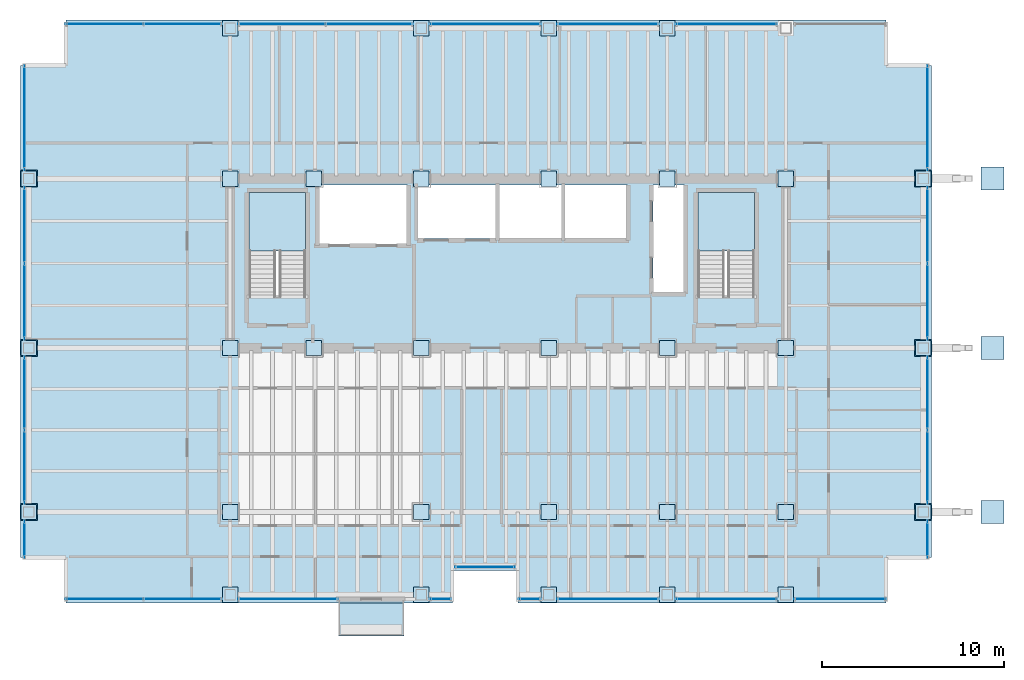
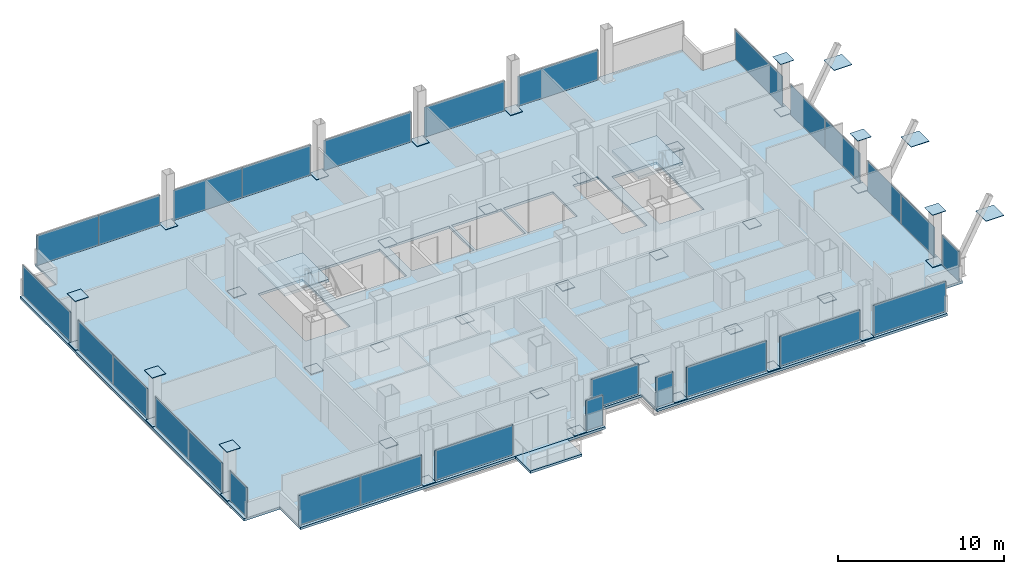
# One storey, part 17 of 21: 69 plates, 4 slabs, 7 openings, 23 elements without a shape of their own.
"""IFC4 building model written with IfcOpenShell, lengths in metres."""

import ifcopenshell
import ifcopenshell.guid

model = None  # the IFC model being written
_history = None  # IfcOwnerHistory: only IFC2X3 demands one
_inside = {}  # id of a spatial element -> (the spatial element, [elements in it])
_under = {}  # id of a project, library or spatial element -> (it, [spatial elements below it])
_declared = {}  # id of a project -> (the project, [libraries it declares])
_typed = {}  # id of a type object -> (the type object, [elements of that type])
_made_of = {}  # id of a material, layer set ... -> (it, [elements and type objects made of it])


def new_model(schema):
    """Start an empty IFC model of exactly this schema.

    Asked for "IFC4X3", IfcOpenShell would pick the latest addendum, in which some entities
    have other attributes; the version numbers below select the first issue.
    IFC2X3 requires an IfcOwnerHistory on every rooted entity: one is made here for all.
    """
    global model, _history
    if schema == "IFC4X3":
        model = ifcopenshell.file(schema_version=(4, 3, 0, 0))
    else:
        model = ifcopenshell.file(schema=schema)
    _inside.clear()
    _under.clear()
    _declared.clear()
    _typed.clear()
    _made_of.clear()
    _history = None
    if model.schema == "IFC2X3":
        org = make("IfcOrganization", Name="unknown")
        user = make(
            "IfcPersonAndOrganization",
            ThePerson=make("IfcPerson", FamilyName="unknown"),
            TheOrganization=org,
        )
        app = make(
            "IfcApplication",
            ApplicationDeveloper=org,
            Version="unknown",
            ApplicationFullName="unknown",
            ApplicationIdentifier="unknown",
        )
        _history = make(
            "IfcOwnerHistory",
            OwningUser=user,
            OwningApplication=app,
            ChangeAction="ADDED",
            CreationDate=0,
        )
    return model


def make(cls, **values):
    """One entity of the class cls with the attributes given. An attribute that is None is left unset."""
    return model.create_entity(
        cls, **{name: value for name, value in values.items() if value is not None}
    )


def rooted(cls, **values):
    """An entity with a GlobalId (a new one), such as an element, a storey or a relation."""
    return make(cls, GlobalId=ifcopenshell.guid.new(), OwnerHistory=_history, **values)


def si_unit(unit_type, name, prefix=None):
    """IfcSIUnit, for example si_unit("LENGTHUNIT", "METRE", prefix="MILLI")."""
    return make("IfcSIUnit", UnitType=unit_type, Prefix=prefix, Name=name)


def assignment(units):
    """IfcUnitAssignment: the units of a project."""
    return None if units is None else make("IfcUnitAssignment", Units=units)


def point(xyz):
    """IfcCartesianPoint."""
    return None if xyz is None else make("IfcCartesianPoint", Coordinates=xyz)


def direction(xyz):
    """IfcDirection."""
    return None if xyz is None else make("IfcDirection", DirectionRatios=xyz)


def frame(location, z_axis=None, x_axis=None):
    """IfcAxis2Placement3D, a coordinate frame: its origin and axes. An axis left out is left unset."""
    return make(
        "IfcAxis2Placement3D",
        Location=point(location),
        Axis=direction(z_axis),
        RefDirection=direction(x_axis),
    )


def frame_2d(location, x_axis=None):
    """IfcAxis2Placement2D, a coordinate frame in the plane: its origin and x axis."""
    return make(
        "IfcAxis2Placement2D", Location=point(location), RefDirection=direction(x_axis)
    )


def origin():
    """The frame at (0, 0, 0) with its axes left unset."""
    return frame((0.0, 0.0, 0.0))


def origin_2d():
    """The frame at (0, 0) in the plane with its x axis left unset."""
    return frame_2d((0.0, 0.0))


def place(relative_to, where):
    """IfcLocalPlacement: puts the frame where relative to a parent placement (None: the world)."""
    return make(
        "IfcLocalPlacement", PlacementRelTo=relative_to, RelativePlacement=where
    )


def context(
    kind, dimensions, precision=None, world=None, true_north=None, identifier=None
):
    """IfcGeometricRepresentationContext, for example the 3D "Model" context."""
    return make(
        "IfcGeometricRepresentationContext",
        ContextIdentifier=identifier,
        ContextType=kind,
        CoordinateSpaceDimension=dimensions,
        Precision=precision,
        WorldCoordinateSystem=world,
        TrueNorth=true_north,
    )


def subcontext(parent, identifier, kind, view, scale=None):
    """IfcGeometricRepresentationSubContext, for example "Body" below "Model"."""
    return make(
        "IfcGeometricRepresentationSubContext",
        ContextIdentifier=identifier,
        ContextType=kind,
        ParentContext=parent,
        TargetScale=scale,
        TargetView=view,
    )


def project(units=None, contexts=None):
    """IfcProject with its units and contexts."""
    return rooted(
        "IfcProject",
        Name="project",
        RepresentationContexts=contexts,
        UnitsInContext=assignment(units),
    )


def spatial(cls, under=None, at=None, **own):
    """A site, building, storey or space (cls), placed at a placement, below another one or the project."""
    s = rooted(cls, ObjectPlacement=at, **own)
    if under is not None:
        _under.setdefault(under.id(), (under, []))[1].append(s)
    return s


def polyline(points):
    """IfcPolyline through the points."""
    return make("IfcPolyline", Points=[point(p) for p in points])


def profile(cls, at=None, kind="AREA", **sizes):
    """A parametric profile (cls). Its sizes go by their IFC names, for example OverallWidth=200.0."""
    return make(cls, ProfileType=kind, Position=at, **sizes)


def rectangle(**sizes):
    """IfcRectangleProfileDef."""
    return profile("IfcRectangleProfileDef", **sizes)


def outline(outer, holes=None, kind="AREA"):
    """IfcArbitraryClosedProfileDef: a profile drawn as a closed curve; with holes, ...WithVoids."""
    if holes is None:
        return make("IfcArbitraryClosedProfileDef", ProfileType=kind, OuterCurve=outer)
    return make(
        "IfcArbitraryProfileDefWithVoids",
        ProfileType=kind,
        OuterCurve=outer,
        InnerCurves=holes,
    )


def extrude(swept, where, along, depth):
    """IfcExtrudedAreaSolid: the profile swept, set in the frame where, extruded along a direction by depth."""
    return make(
        "IfcExtrudedAreaSolid",
        SweptArea=swept,
        Position=where,
        ExtrudedDirection=direction(along),
        Depth=depth,
    )


def shape(context_of_items, identifier, shape_type, items):
    """IfcShapeRepresentation: the items that make up one representation, for example the "Body"."""
    return make(
        "IfcShapeRepresentation",
        ContextOfItems=context_of_items,
        RepresentationIdentifier=identifier,
        RepresentationType=shape_type,
        Items=items,
    )


def material(Name=None, Category=None):
    """IfcMaterial."""
    return make("IfcMaterial", Name=Name, Category=Category)


def layer(
    of_material, thickness, ventilated=None, Name=None, Category=None, Priority=None
):
    """IfcMaterialLayer: one layer of a wall or slab, of a material (None: an air gap)."""
    return make(
        "IfcMaterialLayer",
        Material=of_material,
        LayerThickness=thickness,
        IsVentilated=ventilated,
        Name=Name,
        Category=Category,
        Priority=Priority,
    )


def layer_set(layers, Name=None):
    """IfcMaterialLayerSet."""
    return make("IfcMaterialLayerSet", MaterialLayers=layers, LayerSetName=Name)


def made_of(thing, what):
    """Note that an element or type object is made of a material, layer set ...; save() writes the relation."""
    if what is not None:
        _made_of.setdefault(what.id(), (what, []))[1].append(thing)
    return thing


def type_object(cls, material=None, **own):
    """A type object (cls), such as IfcWallType, which elements share."""
    return made_of(rooted(cls, **own), material)


def element(
    cls,
    number,
    at=None,
    inside=None,
    cuts=None,
    type_object=None,
    material=None,
    context=None,
    identifier="Body",
    shape_type=None,
    held_by="IfcProductDefinitionShape",
    body=None,
    shapes=None,
    **own,
):
    """One element of the class cls, such as IfcWall. Its Tag is "e" and its number.

    at: its placement. inside: the storey or other place that contains it. cuts: it is an
    opening in that element (IfcRelVoidsElement). A single representation is given by context,
    identifier, shape_type and body (its items); several are given by shapes. held_by: the class
    of the entity that holds the representations. save() writes the other relations.
    """
    e = rooted(cls, Tag="e%d" % number, ObjectPlacement=at, **own)
    if body is not None:
        shapes = [shape(context, identifier, shape_type, body)]
    if shapes is not None:
        e.Representation = make(held_by, Representations=shapes)
    if inside is not None:
        _inside.setdefault(inside.id(), (inside, []))[1].append(e)
    if cuts is not None:
        rooted(
            "IfcRelVoidsElement", RelatingBuildingElement=cuts, RelatedOpeningElement=e
        )
    if type_object is not None:
        _typed.setdefault(type_object.id(), (type_object, []))[1].append(e)
    return made_of(e, material)


def aggregate(whole, parts):
    """IfcRelAggregates: a whole, such as a stair, and the parts it consists of."""
    return rooted("IfcRelAggregates", RelatingObject=whole, RelatedObjects=parts)


def save(model, path):
    """Write the relations noted so far, then the file.

    IfcRelAggregates (storeys below a building ...), IfcRelContainedInSpatialStructure (elements
    in a storey), IfcRelDefinesByType, IfcRelAssociatesMaterial and IfcRelDeclares: one each for
    every whole, place, type object, material and project.
    """
    for whole, parts in _under.values():
        aggregate(whole, parts)
    for where, things in _inside.values():
        rooted(
            "IfcRelContainedInSpatialStructure",
            RelatedElements=things,
            RelatingStructure=where,
        )
    for kind, things in _typed.values():
        rooted("IfcRelDefinesByType", RelatedObjects=things, RelatingType=kind)
    for what, things in _made_of.values():
        rooted("IfcRelAssociatesMaterial", RelatedObjects=things, RelatingMaterial=what)
    for by, libraries in _declared.values():
        rooted("IfcRelDeclares", RelatingContext=by, RelatedDefinitions=libraries)
    model.write(path)


model = new_model("IFC4")

# Units and contexts
model_context = context("Model", 3, precision=1e-05, world=origin(), true_north=direction((0.0, 1.0)))
body_context = subcontext(model_context, "Body", "Model", "MODEL_VIEW")
ifc_project = project(units=[si_unit("LENGTHUNIT", "METRE"), si_unit("AREAUNIT", "SQUARE_METRE"), si_unit("VOLUMEUNIT", "CUBIC_METRE"), si_unit("PLANEANGLEUNIT", "RADIAN"), si_unit("MASSUNIT", "GRAM", prefix="KILO")], contexts=[model_context])

# Site, building, storey
site_placement = place(None, origin())
site = spatial("IfcSite", under=ifc_project, at=site_placement, CompositionType="ELEMENT")
building_placement = place(site_placement, origin())
building = spatial("IfcBuilding", under=site, at=building_placement, Name="Noeulbin Bourse Tower", CompositionType="ELEMENT")
storey_placement = place(building_placement, frame((0.0, 0.0, 49.89990234375)))
storey = spatial("IfcBuildingStorey", under=building, at=storey_placement, Name="L12", CompositionType="ELEMENT", Elevation=49.89990234375)

# Curtain wall, plate
ifc_material_1 = material(Name="Dark Solar-Control Double Glazing", Category="glass")
curtain_wall_type = type_object("IfcCurtainWallType", Name="CW-SYS-2", PredefinedType="NOTDEFINED", material=ifc_material_1)
curtain_wall_1_placement = place(storey_placement, origin())
curtain_wall_1 = element("IfcCurtainWall", 1, at=curtain_wall_1_placement, inside=storey, type_object=curtain_wall_type, Name="Unitised Curtain Wall CW-L12-SREC", PredefinedType="NOTDEFINED")
ifc_layer_1 = layer(ifc_material_1, 0.035888671875)
ifc_layer_set_1 = layer_set([ifc_layer_1], Name="Dark Solar-Control Double Glazing")
plate_type_1 = type_object("IfcPlateType", Name="CW-SYS-2-PNL", PredefinedType="CURTAIN_PANEL", material=ifc_layer_set_1)
plate_1_placement = place(storey_placement, frame((27.5, 16.97998046875, 0.0), z_axis=(0.0, 0.0, 1.0), x_axis=(1.0, 0.0, 0.0)))
plate_1 = element("IfcPlate", 2, at=plate_1_placement, type_object=plate_type_1, Name="Glazed Curtain Panel CW-L12-SREC-P00", PredefinedType="CURTAIN_PANEL", context=body_context, shape_type="SweptSolid", body=[
    extrude(rectangle(XDim=3.300048828125, YDim=0.035888671875, at=origin_2d()), origin(), (0.0, 0.0, 1.0), 2.219970703125),
])
aggregate(curtain_wall_1, [plate_1])

# Curtain wall, plates
curtain_wall_2_placement = place(storey_placement, origin())
curtain_wall_2 = element("IfcCurtainWall", 3, at=curtain_wall_2_placement, inside=storey, type_object=curtain_wall_type, Name="Unitised Curtain Wall CW-L12-S1-S1", PredefinedType="NOTDEFINED")
plate_2_placement = place(storey_placement, frame((6.6201171875, 15.219970703125, 0.0), z_axis=(0.0, 0.0, 1.0), x_axis=(1.0, 0.0, 0.0)))
plate_2 = element("IfcPlate", 4, at=plate_2_placement, type_object=plate_type_1, Name="Glazed Curtain Panel CW-L12-S1-S1-P00", PredefinedType="CURTAIN_PANEL", context=body_context, shape_type="SweptSolid", body=[
    extrude(rectangle(XDim=4.280029296875, YDim=0.035888671875, at=origin_2d()), origin(), (0.0, 0.0, 1.0), 2.219970703125),
])
plate_3_placement = place(storey_placement, frame((10.89990234375, 15.219970703125, 0.0), z_axis=(0.0, 0.0, 1.0), x_axis=(1.0, 0.0, 0.0)))
plate_3 = element("IfcPlate", 5, at=plate_3_placement, type_object=plate_type_1, Name="Glazed Curtain Panel CW-L12-S1-S1-P01", PredefinedType="CURTAIN_PANEL", context=body_context, shape_type="SweptSolid", body=[
    extrude(rectangle(XDim=4.280029296875, YDim=0.035888671875, at=origin_2d()), origin(), (0.0, 0.0, 1.0), 2.219970703125),
])
aggregate(curtain_wall_2, [plate_2, plate_3])

# Curtain wall, plate
curtain_wall_3_placement = place(storey_placement, origin())
curtain_wall_3 = element("IfcCurtainWall", 6, at=curtain_wall_3_placement, inside=storey, type_object=curtain_wall_type, Name="Unitised Curtain Wall CW-L12-S1-S2", PredefinedType="NOTDEFINED")
plate_4_placement = place(storey_placement, frame((16.679931640625, 15.219970703125, 0.0), z_axis=(0.0, 0.0, 1.0), x_axis=(1.0, 0.0, 0.0)))
plate_4 = element("IfcPlate", 7, at=plate_4_placement, type_object=plate_type_1, Name="Glazed Curtain Panel CW-L12-S1-S2-P00", PredefinedType="CURTAIN_PANEL", context=body_context, shape_type="SweptSolid", body=[
    extrude(rectangle(XDim=5.43994140625, YDim=0.035888671875, at=origin_2d()), origin(), (0.0, 0.0, 1.0), 2.219970703125),
])
aggregate(curtain_wall_3, [plate_4])

curtain_wall_4_placement = place(storey_placement, origin())
curtain_wall_4 = element("IfcCurtainWall", 8, at=curtain_wall_4_placement, inside=storey, type_object=curtain_wall_type, Name="Unitised Curtain Wall CW-L12-S2", PredefinedType="NOTDEFINED")
plate_5_placement = place(storey_placement, frame((25.054931640625, 15.219970703125, 0.0), z_axis=(0.0, 0.0, 1.0), x_axis=(1.0, 0.0, 0.0)))
plate_5 = element("IfcPlate", 9, at=plate_5_placement, type_object=plate_type_1, Name="Glazed Curtain Panel CW-L12-S2-P00", PredefinedType="CURTAIN_PANEL", context=body_context, shape_type="SweptSolid", body=[
    extrude(rectangle(XDim=1.18994140625, YDim=0.035888671875, at=origin_2d()), origin(), (0.0, 0.0, 1.0), 2.219970703125),
])
aggregate(curtain_wall_4, [plate_5])

curtain_wall_5_placement = place(storey_placement, origin())
curtain_wall_5 = element("IfcCurtainWall", 10, at=curtain_wall_5_placement, inside=storey, type_object=curtain_wall_type, Name="Unitised Curtain Wall CW-L12-S3-S1", PredefinedType="NOTDEFINED")
plate_6_placement = place(storey_placement, frame((29.945068359375, 15.219970703125, 0.0), z_axis=(0.0, 0.0, 1.0), x_axis=(1.0, 0.0, 0.0)))
plate_6 = element("IfcPlate", 11, at=plate_6_placement, type_object=plate_type_1, Name="Glazed Curtain Panel CW-L12-S3-S1-P00", PredefinedType="CURTAIN_PANEL", context=body_context, shape_type="SweptSolid", body=[
    extrude(rectangle(XDim=1.18994140625, YDim=0.035888671875, at=origin_2d()), origin(), (0.0, 0.0, 1.0), 2.219970703125),
])
aggregate(curtain_wall_5, [plate_6])

curtain_wall_6_placement = place(storey_placement, origin())
curtain_wall_6 = element("IfcCurtainWall", 12, at=curtain_wall_6_placement, inside=storey, type_object=curtain_wall_type, Name="Unitised Curtain Wall CW-L12-S3-S2", PredefinedType="NOTDEFINED")
plate_7_placement = place(storey_placement, frame((34.25, 15.219970703125, 0.0), z_axis=(0.0, 0.0, 1.0), x_axis=(1.0, 0.0, 0.0)))
plate_7 = element("IfcPlate", 13, at=plate_7_placement, type_object=plate_type_1, Name="Glazed Curtain Panel CW-L12-S3-S2-P00", PredefinedType="CURTAIN_PANEL", context=body_context, shape_type="SweptSolid", body=[
    extrude(rectangle(XDim=5.580078125, YDim=0.035888671875, at=origin_2d()), origin(), (0.0, 0.0, 1.0), 2.219970703125),
])
aggregate(curtain_wall_6, [plate_7])

curtain_wall_7_placement = place(storey_placement, origin())
curtain_wall_7 = element("IfcCurtainWall", 14, at=curtain_wall_7_placement, inside=storey, type_object=curtain_wall_type, Name="Unitised Curtain Wall CW-L12-S3-S3", PredefinedType="NOTDEFINED")
plate_8_placement = place(storey_placement, frame((40.75, 15.219970703125, 0.0), z_axis=(0.0, 0.0, 1.0), x_axis=(1.0, 0.0, 0.0)))
plate_8 = element("IfcPlate", 15, at=plate_8_placement, type_object=plate_type_1, Name="Glazed Curtain Panel CW-L12-S3-S3-P00", PredefinedType="CURTAIN_PANEL", context=body_context, shape_type="SweptSolid", body=[
    extrude(rectangle(XDim=5.580078125, YDim=0.035888671875, at=origin_2d()), origin(), (0.0, 0.0, 1.0), 2.219970703125),
])
aggregate(curtain_wall_7, [plate_8])

curtain_wall_8_placement = place(storey_placement, origin())
curtain_wall_8 = element("IfcCurtainWall", 16, at=curtain_wall_8_placement, inside=storey, type_object=curtain_wall_type, Name="Unitised Curtain Wall CW-L12-S3-S4", PredefinedType="NOTDEFINED")
plate_9_placement = place(storey_placement, frame((46.989990234375, 15.219970703125, 0.0), z_axis=(0.0, 0.0, 1.0), x_axis=(1.0, 0.0, 0.0)))
plate_9 = element("IfcPlate", 17, at=plate_9_placement, type_object=plate_type_1, Name="Glazed Curtain Panel CW-L12-S3-S4-P00", PredefinedType="CURTAIN_PANEL", context=body_context, shape_type="SweptSolid", body=[
    extrude(rectangle(XDim=5.06005859375, YDim=0.035888671875, at=origin_2d()), origin(), (0.0, 0.0, 1.0), 2.219970703125),
])
aggregate(curtain_wall_8, [plate_9])

# Curtain wall, plates
curtain_wall_9_placement = place(storey_placement, origin())
curtain_wall_9 = element("IfcCurtainWall", 18, at=curtain_wall_9_placement, inside=storey, type_object=curtain_wall_type, Name="Unitised Curtain Wall CW-L12-N-S1", PredefinedType="NOTDEFINED")
plate_10_placement = place(storey_placement, frame((6.6201171875, 46.780029296875, 0.0), z_axis=(0.0, 0.0, 1.0), x_axis=(1.0, 0.0, 0.0)))
plate_10 = element("IfcPlate", 19, at=plate_10_placement, type_object=plate_type_1, Name="Glazed Curtain Panel CW-L12-N-S1-P00", PredefinedType="CURTAIN_PANEL", context=body_context, shape_type="SweptSolid", body=[
    extrude(rectangle(XDim=4.280029296875, YDim=0.035888671875, at=origin_2d()), origin(), (0.0, 0.0, 1.0), 2.219970703125),
])
plate_11_placement = place(storey_placement, frame((10.89990234375, 46.780029296875, 0.0), z_axis=(0.0, 0.0, 1.0), x_axis=(1.0, 0.0, 0.0)))
plate_11 = element("IfcPlate", 20, at=plate_11_placement, type_object=plate_type_1, Name="Glazed Curtain Panel CW-L12-N-S1-P01", PredefinedType="CURTAIN_PANEL", context=body_context, shape_type="SweptSolid", body=[
    extrude(rectangle(XDim=4.280029296875, YDim=0.035888671875, at=origin_2d()), origin(), (0.0, 0.0, 1.0), 2.219970703125),
])
aggregate(curtain_wall_9, [plate_10, plate_11])

curtain_wall_10_placement = place(storey_placement, origin())
curtain_wall_10 = element("IfcCurtainWall", 21, at=curtain_wall_10_placement, inside=storey, type_object=curtain_wall_type, Name="Unitised Curtain Wall CW-L12-N-S2", PredefinedType="NOTDEFINED")
plate_12_placement = place(storey_placement, frame((16.35498046875, 46.780029296875, 0.0), z_axis=(0.0, 0.0, 1.0), x_axis=(1.0, 0.0, 0.0)))
plate_12 = element("IfcPlate", 22, at=plate_12_placement, type_object=plate_type_1, Name="Glazed Curtain Panel CW-L12-N-S2-P00", PredefinedType="CURTAIN_PANEL", context=body_context, shape_type="SweptSolid", body=[
    extrude(rectangle(XDim=4.7900390625, YDim=0.035888671875, at=origin_2d()), origin(), (0.0, 0.0, 1.0), 2.219970703125),
])
plate_13_placement = place(storey_placement, frame((21.14501953125, 46.780029296875, 0.0), z_axis=(0.0, 0.0, 1.0), x_axis=(1.0, 0.0, 0.0)))
plate_13 = element("IfcPlate", 23, at=plate_13_placement, type_object=plate_type_1, Name="Glazed Curtain Panel CW-L12-N-S2-P01", PredefinedType="CURTAIN_PANEL", context=body_context, shape_type="SweptSolid", body=[
    extrude(rectangle(XDim=4.7900390625, YDim=0.035888671875, at=origin_2d()), origin(), (0.0, 0.0, 1.0), 2.219970703125),
])
aggregate(curtain_wall_10, [plate_12, plate_13])

# Curtain wall, plate
curtain_wall_11_placement = place(storey_placement, origin())
curtain_wall_11 = element("IfcCurtainWall", 24, at=curtain_wall_11_placement, inside=storey, type_object=curtain_wall_type, Name="Unitised Curtain Wall CW-L12-N-S3", PredefinedType="NOTDEFINED")
plate_14_placement = place(storey_placement, frame((27.5, 46.780029296875, 0.0), z_axis=(0.0, 0.0, 1.0), x_axis=(1.0, 0.0, 0.0)))
plate_14 = element("IfcPlate", 25, at=plate_14_placement, type_object=plate_type_1, Name="Glazed Curtain Panel CW-L12-N-S3-P00", PredefinedType="CURTAIN_PANEL", context=body_context, shape_type="SweptSolid", body=[
    extrude(rectangle(XDim=6.080078125, YDim=0.035888671875, at=origin_2d()), origin(), (0.0, 0.0, 1.0), 2.219970703125),
])
aggregate(curtain_wall_11, [plate_14])

curtain_wall_12_placement = place(storey_placement, origin())
curtain_wall_12 = element("IfcCurtainWall", 26, at=curtain_wall_12_placement, inside=storey, type_object=curtain_wall_type, Name="Unitised Curtain Wall CW-L12-N-S4", PredefinedType="NOTDEFINED")
plate_15_placement = place(storey_placement, frame((34.25, 46.780029296875, 0.0), z_axis=(0.0, 0.0, 1.0), x_axis=(1.0, 0.0, 0.0)))
plate_15 = element("IfcPlate", 27, at=plate_15_placement, type_object=plate_type_1, Name="Glazed Curtain Panel CW-L12-N-S4-P00", PredefinedType="CURTAIN_PANEL", context=body_context, shape_type="SweptSolid", body=[
    extrude(rectangle(XDim=5.580078125, YDim=0.035888671875, at=origin_2d()), origin(), (0.0, 0.0, 1.0), 2.219970703125),
])
aggregate(curtain_wall_12, [plate_15])

curtain_wall_13_placement = place(storey_placement, origin())
curtain_wall_13 = element("IfcCurtainWall", 28, at=curtain_wall_13_placement, inside=storey, type_object=curtain_wall_type, Name="Unitised Curtain Wall CW-L12-N-S5", PredefinedType="NOTDEFINED")
plate_16_placement = place(storey_placement, frame((40.75, 46.780029296875, 0.0), z_axis=(0.0, 0.0, 1.0), x_axis=(1.0, 0.0, 0.0)))
plate_16 = element("IfcPlate", 29, at=plate_16_placement, type_object=plate_type_1, Name="Glazed Curtain Panel CW-L12-N-S5-P00", PredefinedType="CURTAIN_PANEL", context=body_context, shape_type="SweptSolid", body=[
    extrude(rectangle(XDim=5.580078125, YDim=0.035888671875, at=origin_2d()), origin(), (0.0, 0.0, 1.0), 2.219970703125),
])
aggregate(curtain_wall_13, [plate_16])

curtain_wall_14_placement = place(storey_placement, origin())
curtain_wall_14 = element("IfcCurtainWall", 30, at=curtain_wall_14_placement, inside=storey, type_object=curtain_wall_type, Name="Unitised Curtain Wall CW-L12-W-S1", PredefinedType="NOTDEFINED")
plate_17_placement = place(storey_placement, frame((2.219970703125, 18.510009765625, 0.0), z_axis=(0.0, 0.0, 1.0), x_axis=(0.0, 1.0, 0.0)))
plate_17 = element("IfcPlate", 31, at=plate_17_placement, type_object=plate_type_1, Name="Glazed Curtain Panel CW-L12-W-S1-P00", PredefinedType="CURTAIN_PANEL", context=body_context, shape_type="SweptSolid", body=[
    extrude(rectangle(XDim=2.06005859375, YDim=0.035888671875, at=origin_2d()), origin(), (0.0, 0.0, 1.0), 2.219970703125),
])
aggregate(curtain_wall_14, [plate_17])

# Curtain wall, plates
curtain_wall_15_placement = place(storey_placement, origin())
curtain_wall_15 = element("IfcCurtainWall", 32, at=curtain_wall_15_placement, inside=storey, type_object=curtain_wall_type, Name="Unitised Curtain Wall CW-L12-W-S2", PredefinedType="NOTDEFINED")
plate_18_placement = place(storey_placement, frame((2.219970703125, 22.47998046875, 0.0), z_axis=(0.0, 0.0, 1.0), x_axis=(0.0, 1.0, 0.0)))
plate_18 = element("IfcPlate", 33, at=plate_18_placement, type_object=plate_type_1, Name="Glazed Curtain Panel CW-L12-W-S2-P00", PredefinedType="CURTAIN_PANEL", context=body_context, shape_type="SweptSolid", body=[
    extrude(rectangle(XDim=4.0400390625, YDim=0.035888671875, at=origin_2d()), origin(), (0.0, 0.0, 1.0), 2.219970703125),
])
plate_19_placement = place(storey_placement, frame((2.219970703125, 26.52001953125, 0.0), z_axis=(0.0, 0.0, 1.0), x_axis=(0.0, 1.0, 0.0)))
plate_19 = element("IfcPlate", 34, at=plate_19_placement, type_object=plate_type_1, Name="Glazed Curtain Panel CW-L12-W-S2-P01", PredefinedType="CURTAIN_PANEL", context=body_context, shape_type="SweptSolid", body=[
    extrude(rectangle(XDim=4.0400390625, YDim=0.035888671875, at=origin_2d()), origin(), (0.0, 0.0, 1.0), 2.219970703125),
])
aggregate(curtain_wall_15, [plate_18, plate_19])

curtain_wall_16_placement = place(storey_placement, origin())
curtain_wall_16 = element("IfcCurtainWall", 35, at=curtain_wall_16_placement, inside=storey, type_object=curtain_wall_type, Name="Unitised Curtain Wall CW-L12-W-S3", PredefinedType="NOTDEFINED")
plate_20_placement = place(storey_placement, frame((2.219970703125, 31.554931640625, 0.0), z_axis=(0.0, 0.0, 1.0), x_axis=(0.0, 1.0, 0.0)))
plate_20 = element("IfcPlate", 36, at=plate_20_placement, type_object=plate_type_1, Name="Glazed Curtain Panel CW-L12-W-S3-P00", PredefinedType="CURTAIN_PANEL", context=body_context, shape_type="SweptSolid", body=[
    extrude(rectangle(XDim=4.18994140625, YDim=0.035888671875, at=origin_2d()), origin(), (0.0, 0.0, 1.0), 2.219970703125),
])
plate_21_placement = place(storey_placement, frame((2.219970703125, 35.7451171875, 0.0), z_axis=(0.0, 0.0, 1.0), x_axis=(0.0, 1.0, 0.0)))
plate_21 = element("IfcPlate", 37, at=plate_21_placement, type_object=plate_type_1, Name="Glazed Curtain Panel CW-L12-W-S3-P01", PredefinedType="CURTAIN_PANEL", context=body_context, shape_type="SweptSolid", body=[
    extrude(rectangle(XDim=4.18994140625, YDim=0.035888671875, at=origin_2d()), origin(), (0.0, 0.0, 1.0), 2.219970703125),
])
aggregate(curtain_wall_16, [plate_20, plate_21])

# Curtain wall, plate
curtain_wall_17_placement = place(storey_placement, origin())
curtain_wall_17 = element("IfcCurtainWall", 38, at=curtain_wall_17_placement, inside=storey, type_object=curtain_wall_type, Name="Unitised Curtain Wall CW-L12-W-S4", PredefinedType="NOTDEFINED")
plate_22_placement = place(storey_placement, frame((2.219970703125, 41.639892578125, 0.0), z_axis=(0.0, 0.0, 1.0), x_axis=(0.0, 1.0, 0.0)))
plate_22 = element("IfcPlate", 39, at=plate_22_placement, type_object=plate_type_1, Name="Glazed Curtain Panel CW-L12-W-S4-P00", PredefinedType="CURTAIN_PANEL", context=body_context, shape_type="SweptSolid", body=[
    extrude(rectangle(XDim=5.760009765625, YDim=0.035888671875, at=origin_2d()), origin(), (0.0, 0.0, 1.0), 2.219970703125),
])
aggregate(curtain_wall_17, [plate_22])

curtain_wall_18_placement = place(storey_placement, origin())
curtain_wall_18 = element("IfcCurtainWall", 40, at=curtain_wall_18_placement, inside=storey, type_object=curtain_wall_type, Name="Unitised Curtain Wall CW-L12-E-S1", PredefinedType="NOTDEFINED")
plate_23_placement = place(storey_placement, frame((51.780029296875, 18.510009765625, 0.0), z_axis=(0.0, 0.0, 1.0), x_axis=(0.0, 1.0, 0.0)))
plate_23 = element("IfcPlate", 41, at=plate_23_placement, type_object=plate_type_1, Name="Glazed Curtain Panel CW-L12-E-S1-P00", PredefinedType="CURTAIN_PANEL", context=body_context, shape_type="SweptSolid", body=[
    extrude(rectangle(XDim=2.06005859375, YDim=0.035888671875, at=origin_2d()), origin(), (0.0, 0.0, 1.0), 2.219970703125),
])
aggregate(curtain_wall_18, [plate_23])

# Curtain wall, plates
curtain_wall_19_placement = place(storey_placement, origin())
curtain_wall_19 = element("IfcCurtainWall", 42, at=curtain_wall_19_placement, inside=storey, type_object=curtain_wall_type, Name="Unitised Curtain Wall CW-L12-E-S2", PredefinedType="NOTDEFINED")
plate_24_placement = place(storey_placement, frame((51.780029296875, 22.47998046875, 0.0), z_axis=(0.0, 0.0, 1.0), x_axis=(0.0, 1.0, 0.0)))
plate_24 = element("IfcPlate", 43, at=plate_24_placement, type_object=plate_type_1, Name="Glazed Curtain Panel CW-L12-E-S2-P00", PredefinedType="CURTAIN_PANEL", context=body_context, shape_type="SweptSolid", body=[
    extrude(rectangle(XDim=4.0400390625, YDim=0.035888671875, at=origin_2d()), origin(), (0.0, 0.0, 1.0), 2.219970703125),
])
plate_25_placement = place(storey_placement, frame((51.780029296875, 26.52001953125, 0.0), z_axis=(0.0, 0.0, 1.0), x_axis=(0.0, 1.0, 0.0)))
plate_25 = element("IfcPlate", 44, at=plate_25_placement, type_object=plate_type_1, Name="Glazed Curtain Panel CW-L12-E-S2-P01", PredefinedType="CURTAIN_PANEL", context=body_context, shape_type="SweptSolid", body=[
    extrude(rectangle(XDim=4.0400390625, YDim=0.035888671875, at=origin_2d()), origin(), (0.0, 0.0, 1.0), 2.219970703125),
])
aggregate(curtain_wall_19, [plate_24, plate_25])

curtain_wall_20_placement = place(storey_placement, origin())
curtain_wall_20 = element("IfcCurtainWall", 45, at=curtain_wall_20_placement, inside=storey, type_object=curtain_wall_type, Name="Unitised Curtain Wall CW-L12-E-S3", PredefinedType="NOTDEFINED")
plate_26_placement = place(storey_placement, frame((51.780029296875, 31.554931640625, 0.0), z_axis=(0.0, 0.0, 1.0), x_axis=(0.0, 1.0, 0.0)))
plate_26 = element("IfcPlate", 46, at=plate_26_placement, type_object=plate_type_1, Name="Glazed Curtain Panel CW-L12-E-S3-P00", PredefinedType="CURTAIN_PANEL", context=body_context, shape_type="SweptSolid", body=[
    extrude(rectangle(XDim=4.18994140625, YDim=0.035888671875, at=origin_2d()), origin(), (0.0, 0.0, 1.0), 2.219970703125),
])
plate_27_placement = place(storey_placement, frame((51.780029296875, 35.7451171875, 0.0), z_axis=(0.0, 0.0, 1.0), x_axis=(0.0, 1.0, 0.0)))
plate_27 = element("IfcPlate", 47, at=plate_27_placement, type_object=plate_type_1, Name="Glazed Curtain Panel CW-L12-E-S3-P01", PredefinedType="CURTAIN_PANEL", context=body_context, shape_type="SweptSolid", body=[
    extrude(rectangle(XDim=4.18994140625, YDim=0.035888671875, at=origin_2d()), origin(), (0.0, 0.0, 1.0), 2.219970703125),
])
aggregate(curtain_wall_20, [plate_26, plate_27])

# Curtain wall, plate
curtain_wall_21_placement = place(storey_placement, origin())
curtain_wall_21 = element("IfcCurtainWall", 48, at=curtain_wall_21_placement, inside=storey, type_object=curtain_wall_type, Name="Unitised Curtain Wall CW-L12-E-S4", PredefinedType="NOTDEFINED")
plate_28_placement = place(storey_placement, frame((51.780029296875, 41.639892578125, 0.0), z_axis=(0.0, 0.0, 1.0), x_axis=(0.0, 1.0, 0.0)))
plate_28 = element("IfcPlate", 49, at=plate_28_placement, type_object=plate_type_1, Name="Glazed Curtain Panel CW-L12-E-S4-P00", PredefinedType="CURTAIN_PANEL", context=body_context, shape_type="SweptSolid", body=[
    extrude(rectangle(XDim=5.760009765625, YDim=0.035888671875, at=origin_2d()), origin(), (0.0, 0.0, 1.0), 2.219970703125),
])
aggregate(curtain_wall_21, [plate_28])

# Plates
ifc_material_2 = material(Name="Steel S355", Category="steel")
ifc_layer_2 = layer(ifc_material_2, 0.030029296875)
ifc_layer_set_2 = layer_set([ifc_layer_2], Name="Steel S355")
plate_type_2 = type_object("IfcPlateType", Name="PLT-BN1", PredefinedType="USERDEFINED", material=ifc_layer_set_2)
for number, where, z_axis, x_axis, name in (
    (50, (13.5, 29.0, 0.0048828125), (0.0, 0.0, 1.0), (1.0, 0.0, 0.0), "Mega-Column Splice Plate BN1-L12-01"),
    (51, (13.5, 38.300048828125, 0.0048828125), (0.0, 0.0, 1.0), (1.0, 0.0, 0.0), "Mega-Column Splice Plate BN1-L12-02"),
    (52, (18.10009765625, 29.0, 0.0048828125), (0.0, 0.0, 1.0), (1.0, 0.0, 0.0), "Mega-Column Splice Plate BN1-L12-03"),
    (53, (18.10009765625, 38.300048828125, 0.0048828125), (0.0, 0.0, 1.0), (1.0, 0.0, 0.0), "Mega-Column Splice Plate BN1-L12-04"),
    (54, (24.0, 29.0, 0.0048828125), (0.0, 0.0, 1.0), (1.0, 0.0, 0.0), "Mega-Column Splice Plate BN1-L12-05"),
    (55, (24.0, 38.300048828125, 0.0048828125), (0.0, 0.0, 1.0), (1.0, 0.0, 0.0), "Mega-Column Splice Plate BN1-L12-06"),
    (56, (31.0, 29.0, 0.0048828125), (0.0, 0.0, 1.0), (1.0, 0.0, 0.0), "Mega-Column Splice Plate BN1-L12-07"),
    (57, (31.0, 38.300048828125, 0.0048828125), (0.0, 0.0, 1.0), (1.0, 0.0, 0.0), "Mega-Column Splice Plate BN1-L12-08"),
    (58, (37.5, 29.0, 0.0048828125), (0.0, 0.0, 1.0), (1.0, 0.0, 0.0), "Mega-Column Splice Plate BN1-L12-09"),
    (59, (37.5, 38.300048828125, 0.0048828125), (0.0, 0.0, 1.0), (1.0, 0.0, 0.0), "Mega-Column Splice Plate BN1-L12-10"),
    (60, (44.0, 29.0, 0.0048828125), (0.0, 0.0, 1.0), (1.0, 0.0, 0.0), "Mega-Column Splice Plate BN1-L12-11"),
    (61, (44.0, 38.300048828125, 0.0048828125), (0.0, 0.0, 1.0), (1.0, 0.0, 0.0), "Mega-Column Splice Plate BN1-L12-12"),
    (62, (13.5, 20.0, 0.0048828125), (0.0, 0.0, 1.0), (1.0, 0.0, 0.0), "Mega-Column Splice Plate BN1-L12-13"),
    (63, (24.0, 20.0, 0.0048828125), (0.0, 0.0, 1.0), (1.0, 0.0, 0.0), "Mega-Column Splice Plate BN1-L12-14"),
    (64, (31.0, 20.0, 0.0048828125), (0.0, 0.0, 1.0), (1.0, 0.0, 0.0), "Mega-Column Splice Plate BN1-L12-15"),
    (65, (37.5, 20.0, 0.0048828125), (0.0, 0.0, 1.0), (1.0, 0.0, 0.0), "Mega-Column Splice Plate BN1-L12-16"),
    (66, (44.0, 20.0, 0.0048828125), (0.0, 0.0, 1.0), (1.0, 0.0, 0.0), "Mega-Column Splice Plate BN1-L12-17"),
    (67, (2.449951171875, 20.0, 0.0048828125), (0.0, 0.0, 1.0), (1.0, 0.0, 0.0), "Perimeter Column Splice Plate BN1-L12-01"),
    (68, (2.449951171875, 29.0, 0.0048828125), (0.0, 0.0, 1.0), (1.0, 0.0, 0.0), "Perimeter Column Splice Plate BN1-L12-02"),
    (69, (2.449951171875, 38.300048828125, 0.0048828125), (0.0, 0.0, 1.0), (1.0, 0.0, 0.0), "Perimeter Column Splice Plate BN1-L12-03"),
    (70, (13.5, 15.449951171875, 0.0048828125), (0.0, 0.0, 1.0), (1.0, 0.0, 0.0), "Perimeter Column Splice Plate BN1-L12-04"),
    (71, (13.5, 46.550048828125, 0.0048828125), (0.0, 0.0, 1.0), (1.0, 0.0, 0.0), "Perimeter Column Splice Plate BN1-L12-05"),
    (72, (24.0, 15.449951171875, 0.0048828125), (0.0, 0.0, 1.0), (1.0, 0.0, 0.0), "Perimeter Column Splice Plate BN1-L12-06"),
    (73, (24.0, 46.550048828125, 0.0048828125), (0.0, 0.0, 1.0), (1.0, 0.0, 0.0), "Perimeter Column Splice Plate BN1-L12-07"),
    (74, (31.0, 15.449951171875, 0.0048828125), (0.0, 0.0, 1.0), (1.0, 0.0, 0.0), "Perimeter Column Splice Plate BN1-L12-08"),
    (75, (31.0, 46.550048828125, 0.0048828125), (0.0, 0.0, 1.0), (1.0, 0.0, 0.0), "Perimeter Column Splice Plate BN1-L12-09"),
    (76, (37.5, 15.449951171875, 0.0048828125), (0.0, 0.0, 1.0), (1.0, 0.0, 0.0), "Perimeter Column Splice Plate BN1-L12-10"),
    (77, (37.5, 46.550048828125, 0.0048828125), (0.0, 0.0, 1.0), (1.0, 0.0, 0.0), "Perimeter Column Splice Plate BN1-L12-11"),
    (78, (44.0, 15.449951171875, 0.0048828125), (0.0, 0.0, 1.0), (1.0, 0.0, 0.0), "Perimeter Column Splice Plate BN1-L12-12"),
    (79, (51.550048828125, 20.0, 0.0048828125), (0.0, 0.0, 1.0), (1.0, 0.0, 0.0), "Perimeter Column Splice Plate BN1-L12-14"),
    (80, (51.550048828125, 29.0, 0.0048828125), (0.0, 0.0, 1.0), (1.0, 0.0, 0.0), "Perimeter Column Splice Plate BN1-L12-15"),
    (81, (51.550048828125, 38.300048828125, 0.0048828125), (0.0, 0.0, 1.0), (1.0, 0.0, 0.0), "Perimeter Column Splice Plate BN1-L12-16"),
):
    element("IfcPlate", number, at=place(storey_placement, frame(where, z_axis=z_axis, x_axis=x_axis)), inside=storey, type_object=plate_type_2, Name=name, ObjectType="SPLICE PLATE", PredefinedType="USERDEFINED", context=body_context, shape_type="SweptSolid", body=[
        extrude(rectangle(XDim=0.85009765625, YDim=0.85009765625, at=origin_2d()), origin(), (0.0, 0.0, 1.0), 0.030029296875),
    ])
ifc_material_3 = material(Name="Steel S460", Category="steel")
ifc_layer_3 = layer(ifc_material_3, 0.0400390625)
ifc_layer_set_3 = layer_set([ifc_layer_3], Name="Steel S460")
plate_type_3 = type_object("IfcPlateType", Name="PLT-KN1", PredefinedType="USERDEFINED", material=ifc_layer_set_3)
for number, where, z_axis, x_axis, name in (
    (82, (55.35009765625, 20.0, 2.260009765625), (0.0, 0.0, 1.0), (1.0, 0.0, 0.0), "Exoskeleton Kink Gusset KN1-01"),
    (83, (55.35009765625, 29.0, 2.260009765625), (0.0, 0.0, 1.0), (1.0, 0.0, 0.0), "Exoskeleton Kink Gusset KN1-02"),
    (84, (55.35009765625, 38.300048828125, 2.260009765625), (0.0, 0.0, 1.0), (1.0, 0.0, 0.0), "Exoskeleton Kink Gusset KN1-03"),
):
    element("IfcPlate", number, at=place(storey_placement, frame(where, z_axis=z_axis, x_axis=x_axis)), inside=storey, type_object=plate_type_3, Name=name, ObjectType="GUSSET PLATE", PredefinedType="USERDEFINED", context=body_context, shape_type="SweptSolid", body=[
        extrude(rectangle(XDim=1.25, YDim=1.25, at=origin_2d()), origin(), (0.0, 0.0, 1.0), 0.0400390625),
    ])
ifc_layer_4 = layer(ifc_material_2, 0.031982421875)
ifc_layer_set_4 = layer_set([ifc_layer_4], Name="Steel S355")
plate_type_4 = type_object("IfcPlateType", Name="PLT-KN3", PredefinedType="USERDEFINED", material=ifc_layer_set_4)
for number, where, z_axis, x_axis, name in (
    (85, (2.449951171875, 20.0, 3.64404296875), (0.0, 0.0, 1.0), (1.0, 0.0, 0.0), "Perimeter Column End Cap Plate KN3-01"),
    (86, (2.449951171875, 29.0, 3.64404296875), (0.0, 0.0, 1.0), (1.0, 0.0, 0.0), "Perimeter Column End Cap Plate KN3-02"),
    (87, (2.449951171875, 38.300048828125, 3.64404296875), (0.0, 0.0, 1.0), (1.0, 0.0, 0.0), "Perimeter Column End Cap Plate KN3-03"),
    (88, (51.550048828125, 20.0, 3.88427734375), (0.0, 0.0, 1.0), (1.0, 0.0, 0.0), "Perimeter Column End Cap Plate KN3-14"),
    (89, (51.550048828125, 29.0, 3.88427734375), (0.0, 0.0, 1.0), (1.0, 0.0, 0.0), "Perimeter Column End Cap Plate KN3-15"),
    (90, (51.550048828125, 38.300048828125, 3.88427734375), (0.0, 0.0, 1.0), (1.0, 0.0, 0.0), "Perimeter Column End Cap Plate KN3-16"),
):
    element("IfcPlate", number, at=place(storey_placement, frame(where, z_axis=z_axis, x_axis=x_axis)), inside=storey, type_object=plate_type_4, Name=name, ObjectType="END PLATE", PredefinedType="USERDEFINED", context=body_context, shape_type="SweptSolid", body=[
        extrude(rectangle(XDim=0.949951171875, YDim=0.949951171875, at=origin_2d()), origin(), (0.0, 0.0, 1.0), 0.031982421875),
    ])

# Stair, slab
ifc_material_4 = material(Name="Concrete C40/50", Category="concrete")
stair_type = type_object("IfcStairType", Name="STR-CORE-1560", PredefinedType="HALF_TURN_STAIR", material=ifc_material_4)
stair_1_placement = place(storey_placement, origin())
stair_1 = element("IfcStair", 91, at=stair_1_placement, inside=storey, type_object=stair_type, Name="L12 ST-1", PredefinedType="HALF_TURN_STAIR")
ifc_layer_5 = layer(ifc_material_4, 0.199951171875)
ifc_layer_set_5 = layer_set([ifc_layer_5], Name="Concrete C40/50")
slab_type_1 = type_object("IfcSlabType", Name="SLB-LND-200", PredefinedType="LANDING", material=ifc_layer_set_5)
slab_1_placement = place(storey_placement, frame((0.0, 0.0, 1.75)))
slab_1 = element("IfcSlab", 92, at=slab_1_placement, type_object=slab_type_1, Name="ST-1 landing 1", PredefinedType="LANDING", context=body_context, shape_type="SweptSolid", body=[
    extrude(outline(polyline([(17.64990234375, 34.330078125), (17.64990234375, 37.5439453125), (14.550048828125, 37.5439453125), (14.550048828125, 34.330078125), (17.64990234375, 34.330078125)])), origin(), (0.0, 0.0, 1.0), 0.2001953125),
])
aggregate(stair_1, [slab_1])

stair_2_placement = place(storey_placement, origin())
stair_2 = element("IfcStair", 93, at=stair_2_placement, inside=storey, type_object=stair_type, Name="L12 ST-2", PredefinedType="HALF_TURN_STAIR")
slab_2_placement = place(storey_placement, frame((0.0, 0.0, 1.75)))
slab_2 = element("IfcSlab", 94, at=slab_2_placement, type_object=slab_type_1, Name="ST-2 landing 1", PredefinedType="LANDING", context=body_context, shape_type="SweptSolid", body=[
    extrude(outline(polyline([(42.280029296875, 34.330078125), (42.280029296875, 37.5439453125), (39.179931640625, 37.5439453125), (39.179931640625, 34.330078125), (42.280029296875, 34.330078125)])), origin(), (0.0, 0.0, 1.0), 0.2001953125),
])
aggregate(stair_2, [slab_2])

# Slab, openings
ifc_layer_6 = layer(ifc_material_4, 0.179931640625)
ifc_layer_set_6 = layer_set([ifc_layer_6], Name="Concrete C40/50")
slab_type_2 = type_object("IfcSlabType", Name="SLB-TYP-180", PredefinedType="FLOOR", material=ifc_layer_set_6)
slab_3_placement = place(storey_placement, frame((0.0, 0.0, -0.179931640625)))
slab_3 = element("IfcSlab", 95, at=slab_3_placement, inside=storey, type_object=slab_type_2, Name="Tower Structural Floor Slab L12", PredefinedType="FLOOR", context=body_context, shape_type="SweptSolid", body=[
    extrude(outline(polyline([(4.5, 15.0), (25.699951171875, 15.0), (25.699951171875, 16.800048828125), (29.300048828125, 16.800048828125), (29.300048828125, 15.0), (49.5, 15.0), (49.5, 17.5), (52.0, 17.5), (52.0, 44.5), (49.5, 44.5), (49.5, 47.0), (4.5, 47.0), (4.5, 44.5), (2.0, 44.5), (2.0, 17.5), (4.5, 17.5), (4.5, 15.0)]), holes=[polyline([(17.64990234375, 31.81005859375), (17.64990234375, 37.5439453125), (14.550048828125, 37.5439453125), (14.550048828125, 31.81005859375), (17.64990234375, 31.81005859375)]), polyline([(42.280029296875, 31.81005859375), (42.280029296875, 37.5439453125), (39.179931640625, 37.5439453125), (39.179931640625, 31.81005859375), (42.280029296875, 31.81005859375)]), polyline([(18.35009765625, 34.699951171875), (23.25, 34.699951171875), (23.25, 37.949951171875), (18.35009765625, 37.949951171875), (18.35009765625, 34.699951171875)]), polyline([(36.699951171875, 32.050048828125), (38.449951171875, 32.050048828125), (38.449951171875, 37.949951171875), (36.699951171875, 37.949951171875), (36.699951171875, 32.050048828125)]), polyline([(23.800048828125, 35.0), (28.10009765625, 35.0), (28.10009765625, 37.949951171875), (23.800048828125, 37.949951171875), (23.800048828125, 35.0)]), polyline([(28.25, 35.0), (31.699951171875, 35.0), (31.699951171875, 37.949951171875), (28.25, 37.949951171875), (28.25, 35.0)]), polyline([(31.85009765625, 35.0), (35.300048828125, 35.0), (35.300048828125, 37.949951171875), (31.85009765625, 37.949951171875), (31.85009765625, 35.0)])]), origin(), (0.0, 0.0, 1.0), 0.179931640625),
])
opening_1_placement = place(slab_3_placement, frame((0.0, 0.0, -0.010009765625)))
element("IfcOpeningElement", 96, at=opening_1_placement, cuts=slab_3, Name="Slab Shaft Opening SLB-L12-TWR-1", PredefinedType="OPENING", context=body_context, shape_type="SweptSolid", body=[
    extrude(outline(polyline([(17.64990234375, 31.81005859375), (17.64990234375, 37.5439453125), (14.550048828125, 37.5439453125), (14.550048828125, 31.81005859375), (17.64990234375, 31.81005859375)])), origin(), (0.0, 0.0, 1.0), 0.199951171875),
])
opening_2_placement = place(slab_3_placement, frame((0.0, 0.0, -0.010009765625)))
element("IfcOpeningElement", 97, at=opening_2_placement, cuts=slab_3, Name="Slab Shaft Opening SLB-L12-TWR-2", PredefinedType="OPENING", context=body_context, shape_type="SweptSolid", body=[
    extrude(outline(polyline([(42.280029296875, 31.81005859375), (42.280029296875, 37.5439453125), (39.179931640625, 37.5439453125), (39.179931640625, 31.81005859375), (42.280029296875, 31.81005859375)])), origin(), (0.0, 0.0, 1.0), 0.199951171875),
])
opening_3_placement = place(slab_3_placement, frame((0.0, 0.0, -0.010009765625)))
element("IfcOpeningElement", 98, at=opening_3_placement, cuts=slab_3, Name="Slab Shaft Opening SLB-L12-TWR-3", PredefinedType="OPENING", context=body_context, shape_type="SweptSolid", body=[
    extrude(outline(polyline([(18.35009765625, 34.699951171875), (23.25, 34.699951171875), (23.25, 37.949951171875), (18.35009765625, 37.949951171875), (18.35009765625, 34.699951171875)])), origin(), (0.0, 0.0, 1.0), 0.199951171875),
])
opening_4_placement = place(slab_3_placement, frame((0.0, 0.0, -0.010009765625)))
element("IfcOpeningElement", 99, at=opening_4_placement, cuts=slab_3, Name="Slab Shaft Opening SLB-L12-TWR-4", PredefinedType="OPENING", context=body_context, shape_type="SweptSolid", body=[
    extrude(outline(polyline([(36.699951171875, 32.050048828125), (38.449951171875, 32.050048828125), (38.449951171875, 37.949951171875), (36.699951171875, 37.949951171875), (36.699951171875, 32.050048828125)])), origin(), (0.0, 0.0, 1.0), 0.199951171875),
])
opening_5_placement = place(slab_3_placement, frame((0.0, 0.0, -0.010009765625)))
element("IfcOpeningElement", 100, at=opening_5_placement, cuts=slab_3, Name="Slab Shaft Opening SLB-L12-TWR-5", PredefinedType="OPENING", context=body_context, shape_type="SweptSolid", body=[
    extrude(outline(polyline([(23.800048828125, 35.0), (28.10009765625, 35.0), (28.10009765625, 37.949951171875), (23.800048828125, 37.949951171875), (23.800048828125, 35.0)])), origin(), (0.0, 0.0, 1.0), 0.199951171875),
])
opening_6_placement = place(slab_3_placement, frame((0.0, 0.0, -0.010009765625)))
element("IfcOpeningElement", 101, at=opening_6_placement, cuts=slab_3, Name="Slab Shaft Opening SLB-L12-TWR-6", PredefinedType="OPENING", context=body_context, shape_type="SweptSolid", body=[
    extrude(outline(polyline([(28.25, 35.0), (31.699951171875, 35.0), (31.699951171875, 37.949951171875), (28.25, 37.949951171875), (28.25, 35.0)])), origin(), (0.0, 0.0, 1.0), 0.199951171875),
])
opening_7_placement = place(slab_3_placement, frame((0.0, 0.0, -0.010009765625)))
element("IfcOpeningElement", 102, at=opening_7_placement, cuts=slab_3, Name="Slab Shaft Opening SLB-L12-TWR-7", PredefinedType="OPENING", context=body_context, shape_type="SweptSolid", body=[
    extrude(outline(polyline([(31.85009765625, 35.0), (35.300048828125, 35.0), (35.300048828125, 37.949951171875), (31.85009765625, 37.949951171875), (31.85009765625, 35.0)])), origin(), (0.0, 0.0, 1.0), 0.199951171875),
])

# Slab
slab_4_placement = place(storey_placement, frame((0.0, 0.0, -0.179931640625)))
element("IfcSlab", 103, at=slab_4_placement, inside=storey, type_object=slab_type_2, Name="Cantilevered Tree-Balcony Slab L12", PredefinedType="FLOOR", context=body_context, shape_type="SweptSolid", body=[
    extrude(outline(polyline([(19.449951171875, 13.199951171875), (23.050048828125, 13.199951171875), (23.050048828125, 15.0), (19.449951171875, 15.0), (19.449951171875, 13.199951171875)])), origin(), (0.0, 0.0, 1.0), 0.179931640625),
])

save(model, "model.ifc")
